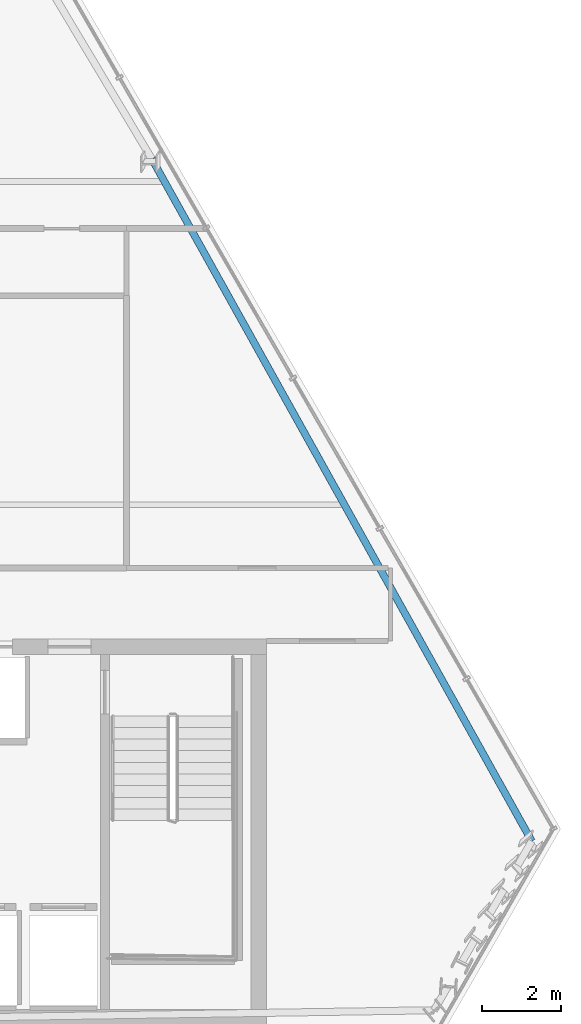
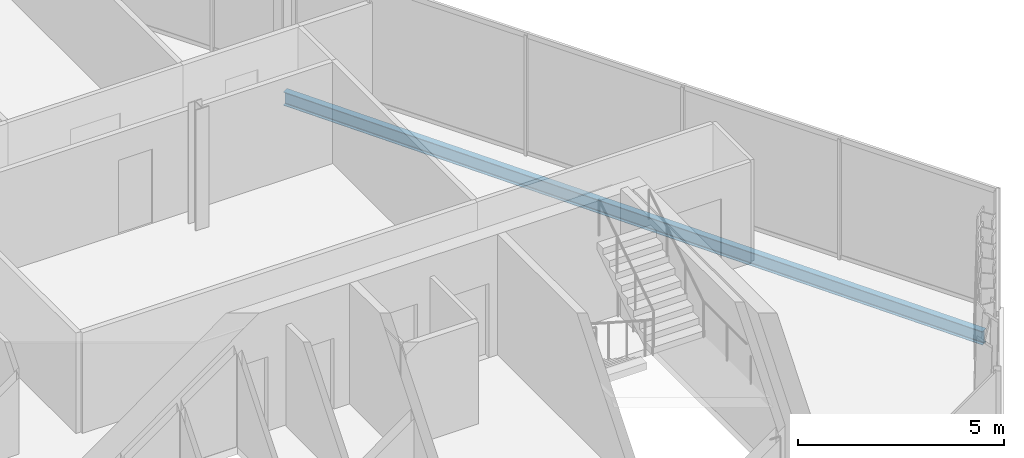
# One storey, part 21 of 32: 1 beam.
"""IFC4 building model written with IfcOpenShell, lengths in metres."""

from ifc_helpers import new_model, si_unit, direction, frame, origin, origin_2d, place, context, subcontext, project, spatial, i_section, extrude, material, material_profile, profile_set, type_object, element, save


model = new_model("IFC4")

# Units and contexts
model_context = context("Model", 3, precision=1e-05, world=origin(), true_north=direction((0.0, 1.0)))
body_context = subcontext(model_context, "Body", "Model", "MODEL_VIEW")
ifc_project = project(units=[si_unit("LENGTHUNIT", "METRE"), si_unit("AREAUNIT", "SQUARE_METRE"), si_unit("VOLUMEUNIT", "CUBIC_METRE"), si_unit("PLANEANGLEUNIT", "RADIAN"), si_unit("MASSUNIT", "GRAM", prefix="KILO")], contexts=[model_context])

# Site, building, storey
site_placement = place(None, origin())
site = spatial("IfcSite", under=ifc_project, at=site_placement, CompositionType="ELEMENT")
building_placement = place(site_placement, origin())
building = spatial("IfcBuilding", under=site, at=building_placement, Name="Ndaravel Arena Tower", CompositionType="ELEMENT")
storey_placement = place(building_placement, frame((0.0, 0.0, 259.800048828125)))
storey = spatial("IfcBuildingStorey", under=building, at=storey_placement, Name="L63", CompositionType="ELEMENT", Elevation=259.800048828125)

# Beam
ifc_material = material(Name="Steel S355", Category="steel")
ifc_material_profile = material_profile(ifc_material, i_section(OverallWidth=0.179931640625, OverallDepth=0.39990234375, WebThickness=0.008544921875, FlangeThickness=0.013427734375, FilletRadius=0.02099609375, at=origin_2d()), Name="IPE 400")
ifc_profile_set = profile_set([ifc_material_profile], Name="Steel S355")
beam_type = type_object("IfcBeamType", Name="BM-SPAN-IPE400", PredefinedType="SPANDREL", material=ifc_profile_set)
beam_placement = place(storey_placement, frame((64.270263671875, 10.073486328125, -0.420166015625), z_axis=(-0.486534771205, 0.873661213748, 0.0), x_axis=(-0.873661213748, -0.486534771205, 0.0)))
element("IfcBeam", 1, at=beam_placement, inside=storey, type_object=beam_type, Name="L63 Perimeter Spandrel Beam SP-09", PredefinedType="SPANDREL", context=body_context, shape_type="SweptSolid", body=[
    extrude(i_section(OverallWidth=0.179931640625, OverallDepth=0.39990234375, WebThickness=0.008544921875, FlangeThickness=0.013427734375, FilletRadius=0.02099609375, at=origin_2d()), origin(), (0.0, 0.0, 1.0), 19.79736328125),
])

save(model, "model.ifc")
